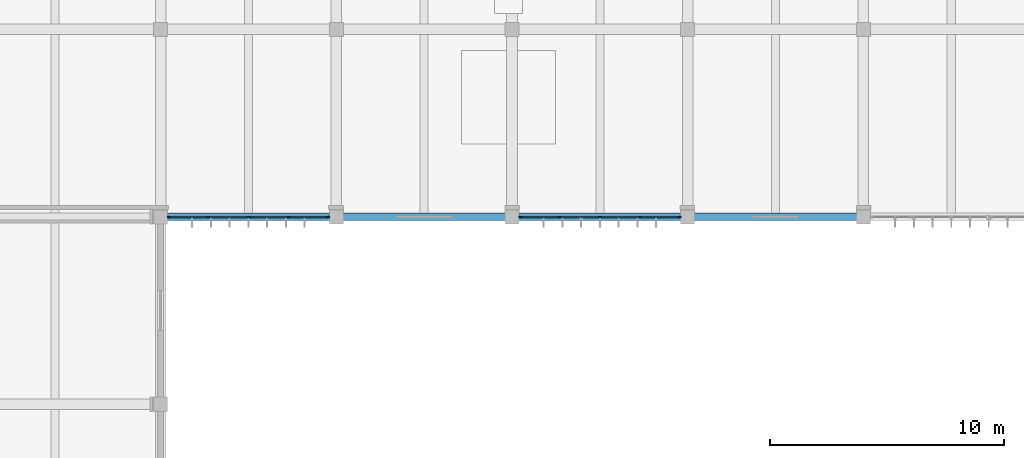
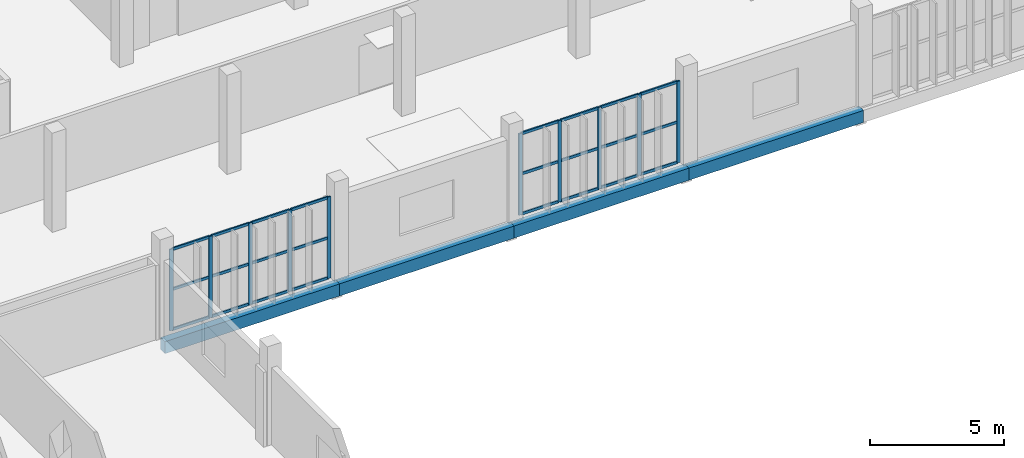
# One storey, part 13 of 81: 34 members, 4 beams, 2 elements without a shape of their own.
"""IFC4 building model written with IfcOpenShell, lengths in metres."""

from ifc_helpers import new_model, si_unit, direction, frame, origin, origin_2d, place, context, subcontext, project, spatial, rectangle, extrude, material, material_profile, profile_set, type_object, element, aggregate, save


model = new_model("IFC4")

# Units and contexts
model_context = context("Model", 3, precision=1e-05, world=origin(), true_north=direction((0.0, 1.0)))
body_context = subcontext(model_context, "Body", "Model", "MODEL_VIEW")
ifc_project = project(units=[si_unit("LENGTHUNIT", "METRE"), si_unit("AREAUNIT", "SQUARE_METRE"), si_unit("VOLUMEUNIT", "CUBIC_METRE"), si_unit("PLANEANGLEUNIT", "RADIAN"), si_unit("MASSUNIT", "GRAM", prefix="KILO")], contexts=[model_context])

# Site, building, storey
site_placement = place(None, origin())
site = spatial("IfcSite", under=ifc_project, at=site_placement, CompositionType="ELEMENT")
building_placement = place(site_placement, origin())
building = spatial("IfcBuilding", under=site, at=building_placement, Name="Vourika Railside Aquatics Centre", CompositionType="ELEMENT")
storey_placement = place(building_placement, frame((0.0, 0.0, 4.800048828125)))
storey = spatial("IfcBuildingStorey", under=building, at=storey_placement, Name="L01", CompositionType="ELEMENT", Elevation=4.800048828125)

# Beams
ifc_material_1 = material(Name="Concrete C35/45", Category="concrete")
ifc_material_profile_1 = material_profile(ifc_material_1, rectangle(XDim=0.320068359375, YDim=0.550048828125, at=origin_2d()), Name="RC 320x550")
ifc_profile_set_1 = profile_set([ifc_material_profile_1], Name="Concrete C35/45")
beam_type = type_object("IfcBeamType", Name="BM-SPAN-320x550", PredefinedType="SPANDREL", material=ifc_profile_set_1)
for number, where, z_axis, x_axis, name in (
    (1, (36.0, 92.0, -0.574951171875), (1.0, 0.0, 0.0), (0.0, 1.0, 0.0), "Floor Beam GX-L01-107"),
    (2, (43.5, 92.0, -0.574951171875), (1.0, 0.0, 0.0), (0.0, 1.0, 0.0), "Floor Beam GX-L01-108"),
    (3, (51.0, 92.0, -0.574951171875), (1.0, 0.0, 0.0), (0.0, 1.0, 0.0), "Floor Beam GX-L01-109"),
    (4, (58.5, 92.0, -0.574951171875), (1.0, 0.0, 0.0), (0.0, 1.0, 0.0), "Floor Beam GX-L01-110"),
):
    element("IfcBeam", number, at=place(storey_placement, frame(where, z_axis=z_axis, x_axis=x_axis)), inside=storey, type_object=beam_type, Name=name, PredefinedType="SPANDREL", context=body_context, shape_type="SweptSolid", body=[
        extrude(rectangle(XDim=0.320068359375, YDim=0.550048828125, at=origin_2d()), origin(), (0.0, 0.0, 1.0), 7.5),
    ])

# Curtain wall, members
ifc_material_2 = material(Name="Anodized thermally broken aluminium", Category="aluminium")
curtain_wall_type = type_object("IfcCurtainWallType", Name="CW-FIT1", PredefinedType="NOTDEFINED", material=ifc_material_2)
curtain_wall_1_placement = place(storey_placement, origin())
curtain_wall_1 = element("IfcCurtainWall", 5, at=curtain_wall_1_placement, inside=storey, type_object=curtain_wall_type, Name="Courtyard Fitness Curtain Wall L01-1", PredefinedType="NOTDEFINED")
ifc_material_3 = material(Name="Anodized aluminium mullion", Category="aluminium")
ifc_material_profile_2 = material_profile(ifc_material_3, rectangle(XDim=0.06201171875, YDim=0.156005859375, at=origin_2d()), Name="ALU-M 62x156")
ifc_profile_set_2 = profile_set([ifc_material_profile_2], Name="Anodized aluminium mullion")
member_type_1 = type_object("IfcMemberType", Name="CWM-FIT1", PredefinedType="MULLION", material=ifc_profile_set_2)
member_1_placement = place(storey_placement, frame((36.361083984375, 92.0, 0.0), z_axis=(0.0, 0.0, 1.0), x_axis=(0.0, 1.0, 0.0)))
member_1 = element("IfcMember", 6, at=member_1_placement, type_object=member_type_1, Name="CW15 mullion 1", PredefinedType="MULLION", context=body_context, shape_type="SweptSolid", body=[
    extrude(rectangle(XDim=0.06201171875, YDim=0.156005859375, at=origin_2d()), origin(), (0.0, 0.0, 1.0), 3.699951171875),
])
member_2_placement = place(storey_placement, frame((38.0400390625, 92.0, 0.0), z_axis=(0.0, 0.0, 1.0), x_axis=(0.0, 1.0, 0.0)))
member_2 = element("IfcMember", 7, at=member_2_placement, type_object=member_type_1, Name="CW15 mullion 2", PredefinedType="MULLION", context=body_context, shape_type="SweptSolid", body=[
    extrude(rectangle(XDim=0.06201171875, YDim=0.156005859375, at=origin_2d()), origin(), (0.0, 0.0, 1.0), 3.699951171875),
])
member_3_placement = place(storey_placement, frame((39.75, 92.0, 0.0), z_axis=(0.0, 0.0, 1.0), x_axis=(0.0, 1.0, 0.0)))
member_3 = element("IfcMember", 8, at=member_3_placement, type_object=member_type_1, Name="CW15 mullion 3", PredefinedType="MULLION", context=body_context, shape_type="SweptSolid", body=[
    extrude(rectangle(XDim=0.06201171875, YDim=0.156005859375, at=origin_2d()), origin(), (0.0, 0.0, 1.0), 3.699951171875),
])
member_4_placement = place(storey_placement, frame((41.4599609375, 92.0, 0.0), z_axis=(0.0, 0.0, 1.0), x_axis=(0.0, 1.0, 0.0)))
member_4 = element("IfcMember", 9, at=member_4_placement, type_object=member_type_1, Name="CW15 mullion 4", PredefinedType="MULLION", context=body_context, shape_type="SweptSolid", body=[
    extrude(rectangle(XDim=0.06201171875, YDim=0.156005859375, at=origin_2d()), origin(), (0.0, 0.0, 1.0), 3.699951171875),
])
member_5_placement = place(storey_placement, frame((43.138916015625, 92.0, 0.0), z_axis=(0.0, 0.0, 1.0), x_axis=(0.0, 1.0, 0.0)))
member_5 = element("IfcMember", 10, at=member_5_placement, type_object=member_type_1, Name="CW15 mullion 5", PredefinedType="MULLION", context=body_context, shape_type="SweptSolid", body=[
    extrude(rectangle(XDim=0.06201171875, YDim=0.156005859375, at=origin_2d()), origin(), (0.0, 0.0, 1.0), 3.699951171875),
])

curtain_wall_2_placement = place(storey_placement, origin())
curtain_wall_2 = element("IfcCurtainWall", 11, at=curtain_wall_2_placement, inside=storey, type_object=curtain_wall_type, Name="Courtyard Fitness Curtain Wall L01-3", PredefinedType="NOTDEFINED")
member_6_placement = place(storey_placement, frame((51.361083984375, 92.0, 0.0), z_axis=(0.0, 0.0, 1.0), x_axis=(0.0, 1.0, 0.0)))
member_6 = element("IfcMember", 12, at=member_6_placement, type_object=member_type_1, Name="CW15 mullion 1", PredefinedType="MULLION", context=body_context, shape_type="SweptSolid", body=[
    extrude(rectangle(XDim=0.06201171875, YDim=0.156005859375, at=origin_2d()), origin(), (0.0, 0.0, 1.0), 3.699951171875),
])
member_7_placement = place(storey_placement, frame((53.0400390625, 92.0, 0.0), z_axis=(0.0, 0.0, 1.0), x_axis=(0.0, 1.0, 0.0)))
member_7 = element("IfcMember", 13, at=member_7_placement, type_object=member_type_1, Name="CW15 mullion 2", PredefinedType="MULLION", context=body_context, shape_type="SweptSolid", body=[
    extrude(rectangle(XDim=0.06201171875, YDim=0.156005859375, at=origin_2d()), origin(), (0.0, 0.0, 1.0), 3.699951171875),
])
member_8_placement = place(storey_placement, frame((54.75, 92.0, 0.0), z_axis=(0.0, 0.0, 1.0), x_axis=(0.0, 1.0, 0.0)))
member_8 = element("IfcMember", 14, at=member_8_placement, type_object=member_type_1, Name="CW15 mullion 3", PredefinedType="MULLION", context=body_context, shape_type="SweptSolid", body=[
    extrude(rectangle(XDim=0.06201171875, YDim=0.156005859375, at=origin_2d()), origin(), (0.0, 0.0, 1.0), 3.699951171875),
])
member_9_placement = place(storey_placement, frame((56.4599609375, 92.0, 0.0), z_axis=(0.0, 0.0, 1.0), x_axis=(0.0, 1.0, 0.0)))
member_9 = element("IfcMember", 15, at=member_9_placement, type_object=member_type_1, Name="CW15 mullion 4", PredefinedType="MULLION", context=body_context, shape_type="SweptSolid", body=[
    extrude(rectangle(XDim=0.06201171875, YDim=0.156005859375, at=origin_2d()), origin(), (0.0, 0.0, 1.0), 3.699951171875),
])
member_10_placement = place(storey_placement, frame((58.138916015625, 92.0, 0.0), z_axis=(0.0, 0.0, 1.0), x_axis=(0.0, 1.0, 0.0)))
member_10 = element("IfcMember", 16, at=member_10_placement, type_object=member_type_1, Name="CW15 mullion 5", PredefinedType="MULLION", context=body_context, shape_type="SweptSolid", body=[
    extrude(rectangle(XDim=0.06201171875, YDim=0.156005859375, at=origin_2d()), origin(), (0.0, 0.0, 1.0), 3.699951171875),
])

# Member
ifc_material_4 = material(Name="Anodized aluminium transom", Category="aluminium")
ifc_material_profile_3 = material_profile(ifc_material_4, rectangle(XDim=0.06201171875, YDim=0.1220703125, at=origin_2d()), Name="ALU-T 62x122")
ifc_profile_set_3 = profile_set([ifc_material_profile_3], Name="Anodized aluminium transom")
member_type_2 = type_object("IfcMemberType", Name="CWT-FIT1", PredefinedType="USERDEFINED", material=ifc_profile_set_3)
member_11_placement = place(storey_placement, frame((36.39208984375, 92.0, 0.031005859375), z_axis=(1.0, 0.0, 0.0), x_axis=(0.0, 1.0, 0.0)))
member_11 = element("IfcMember", 17, at=member_11_placement, type_object=member_type_2, Name="CW15 transom 1.1", ObjectType="TRANSOM", PredefinedType="USERDEFINED", context=body_context, shape_type="SweptSolid", body=[
    extrude(rectangle(XDim=0.06201171875, YDim=0.1220703125, at=origin_2d()), origin(), (0.0, 0.0, 1.0), 1.616943359375),
])

member_12_placement = place(storey_placement, frame((36.39208984375, 92.0, 1.849853515625), z_axis=(1.0, 0.0, 0.0), x_axis=(0.0, 1.0, 0.0)))
member_12 = element("IfcMember", 18, at=member_12_placement, type_object=member_type_2, Name="CW15 transom 1.2", ObjectType="TRANSOM", PredefinedType="USERDEFINED", context=body_context, shape_type="SweptSolid", body=[
    extrude(rectangle(XDim=0.06201171875, YDim=0.1220703125, at=origin_2d()), origin(), (0.0, 0.0, 1.0), 1.616943359375),
])

member_13_placement = place(storey_placement, frame((36.39208984375, 92.0, 3.6689453125), z_axis=(1.0, 0.0, 0.0), x_axis=(0.0, 1.0, 0.0)))
member_13 = element("IfcMember", 19, at=member_13_placement, type_object=member_type_2, Name="CW15 transom 1.3", ObjectType="TRANSOM", PredefinedType="USERDEFINED", context=body_context, shape_type="SweptSolid", body=[
    extrude(rectangle(XDim=0.06201171875, YDim=0.1220703125, at=origin_2d()), origin(), (0.0, 0.0, 1.0), 1.616943359375),
])

member_14_placement = place(storey_placement, frame((38.071044921875, 92.0, 0.031005859375), z_axis=(1.0, 0.0, 0.0), x_axis=(0.0, 1.0, 0.0)))
member_14 = element("IfcMember", 20, at=member_14_placement, type_object=member_type_2, Name="CW15 transom 2.1", ObjectType="TRANSOM", PredefinedType="USERDEFINED", context=body_context, shape_type="SweptSolid", body=[
    extrude(rectangle(XDim=0.06201171875, YDim=0.1220703125, at=origin_2d()), origin(), (0.0, 0.0, 1.0), 1.64794921875),
])

member_15_placement = place(storey_placement, frame((38.071044921875, 92.0, 1.849853515625), z_axis=(1.0, 0.0, 0.0), x_axis=(0.0, 1.0, 0.0)))
member_15 = element("IfcMember", 21, at=member_15_placement, type_object=member_type_2, Name="CW15 transom 2.2", ObjectType="TRANSOM", PredefinedType="USERDEFINED", context=body_context, shape_type="SweptSolid", body=[
    extrude(rectangle(XDim=0.06201171875, YDim=0.1220703125, at=origin_2d()), origin(), (0.0, 0.0, 1.0), 1.64794921875),
])

member_16_placement = place(storey_placement, frame((38.071044921875, 92.0, 3.6689453125), z_axis=(1.0, 0.0, 0.0), x_axis=(0.0, 1.0, 0.0)))
member_16 = element("IfcMember", 22, at=member_16_placement, type_object=member_type_2, Name="CW15 transom 2.3", ObjectType="TRANSOM", PredefinedType="USERDEFINED", context=body_context, shape_type="SweptSolid", body=[
    extrude(rectangle(XDim=0.06201171875, YDim=0.1220703125, at=origin_2d()), origin(), (0.0, 0.0, 1.0), 1.64794921875),
])

member_17_placement = place(storey_placement, frame((39.781005859375, 92.0, 0.031005859375), z_axis=(1.0, 0.0, 0.0), x_axis=(0.0, 1.0, 0.0)))
member_17 = element("IfcMember", 23, at=member_17_placement, type_object=member_type_2, Name="CW15 transom 3.1", ObjectType="TRANSOM", PredefinedType="USERDEFINED", context=body_context, shape_type="SweptSolid", body=[
    extrude(rectangle(XDim=0.06201171875, YDim=0.1220703125, at=origin_2d()), origin(), (0.0, 0.0, 1.0), 1.64794921875),
])

member_18_placement = place(storey_placement, frame((39.781005859375, 92.0, 1.849853515625), z_axis=(1.0, 0.0, 0.0), x_axis=(0.0, 1.0, 0.0)))
member_18 = element("IfcMember", 24, at=member_18_placement, type_object=member_type_2, Name="CW15 transom 3.2", ObjectType="TRANSOM", PredefinedType="USERDEFINED", context=body_context, shape_type="SweptSolid", body=[
    extrude(rectangle(XDim=0.06201171875, YDim=0.1220703125, at=origin_2d()), origin(), (0.0, 0.0, 1.0), 1.64794921875),
])

member_19_placement = place(storey_placement, frame((39.781005859375, 92.0, 3.6689453125), z_axis=(1.0, 0.0, 0.0), x_axis=(0.0, 1.0, 0.0)))
member_19 = element("IfcMember", 25, at=member_19_placement, type_object=member_type_2, Name="CW15 transom 3.3", ObjectType="TRANSOM", PredefinedType="USERDEFINED", context=body_context, shape_type="SweptSolid", body=[
    extrude(rectangle(XDim=0.06201171875, YDim=0.1220703125, at=origin_2d()), origin(), (0.0, 0.0, 1.0), 1.64794921875),
])

member_20_placement = place(storey_placement, frame((41.490966796875, 92.0, 0.031005859375), z_axis=(1.0, 0.0, 0.0), x_axis=(0.0, 1.0, 0.0)))
member_20 = element("IfcMember", 26, at=member_20_placement, type_object=member_type_2, Name="CW15 transom 4.1", ObjectType="TRANSOM", PredefinedType="USERDEFINED", context=body_context, shape_type="SweptSolid", body=[
    extrude(rectangle(XDim=0.06201171875, YDim=0.1220703125, at=origin_2d()), origin(), (0.0, 0.0, 1.0), 1.616943359375),
])

member_21_placement = place(storey_placement, frame((41.490966796875, 92.0, 1.849853515625), z_axis=(1.0, 0.0, 0.0), x_axis=(0.0, 1.0, 0.0)))
member_21 = element("IfcMember", 27, at=member_21_placement, type_object=member_type_2, Name="CW15 transom 4.2", ObjectType="TRANSOM", PredefinedType="USERDEFINED", context=body_context, shape_type="SweptSolid", body=[
    extrude(rectangle(XDim=0.06201171875, YDim=0.1220703125, at=origin_2d()), origin(), (0.0, 0.0, 1.0), 1.616943359375),
])

member_22_placement = place(storey_placement, frame((41.490966796875, 92.0, 3.6689453125), z_axis=(1.0, 0.0, 0.0), x_axis=(0.0, 1.0, 0.0)))
member_22 = element("IfcMember", 28, at=member_22_placement, type_object=member_type_2, Name="CW15 transom 4.3", ObjectType="TRANSOM", PredefinedType="USERDEFINED", context=body_context, shape_type="SweptSolid", body=[
    extrude(rectangle(XDim=0.06201171875, YDim=0.1220703125, at=origin_2d()), origin(), (0.0, 0.0, 1.0), 1.616943359375),
])

aggregate(curtain_wall_1, [member_1, member_2, member_3, member_4, member_5, member_11, member_12, member_13, member_14, member_15, member_16, member_17, member_18, member_19, member_20, member_21, member_22])

member_23_placement = place(storey_placement, frame((51.39208984375, 92.0, 0.031005859375), z_axis=(1.0, 0.0, 0.0), x_axis=(0.0, 1.0, 0.0)))
member_23 = element("IfcMember", 29, at=member_23_placement, type_object=member_type_2, Name="CW15 transom 1.1", ObjectType="TRANSOM", PredefinedType="USERDEFINED", context=body_context, shape_type="SweptSolid", body=[
    extrude(rectangle(XDim=0.06201171875, YDim=0.1220703125, at=origin_2d()), origin(), (0.0, 0.0, 1.0), 1.616943359375),
])

member_24_placement = place(storey_placement, frame((51.39208984375, 92.0, 1.849853515625), z_axis=(1.0, 0.0, 0.0), x_axis=(0.0, 1.0, 0.0)))
member_24 = element("IfcMember", 30, at=member_24_placement, type_object=member_type_2, Name="CW15 transom 1.2", ObjectType="TRANSOM", PredefinedType="USERDEFINED", context=body_context, shape_type="SweptSolid", body=[
    extrude(rectangle(XDim=0.06201171875, YDim=0.1220703125, at=origin_2d()), origin(), (0.0, 0.0, 1.0), 1.616943359375),
])

member_25_placement = place(storey_placement, frame((51.39208984375, 92.0, 3.6689453125), z_axis=(1.0, 0.0, 0.0), x_axis=(0.0, 1.0, 0.0)))
member_25 = element("IfcMember", 31, at=member_25_placement, type_object=member_type_2, Name="CW15 transom 1.3", ObjectType="TRANSOM", PredefinedType="USERDEFINED", context=body_context, shape_type="SweptSolid", body=[
    extrude(rectangle(XDim=0.06201171875, YDim=0.1220703125, at=origin_2d()), origin(), (0.0, 0.0, 1.0), 1.616943359375),
])

member_26_placement = place(storey_placement, frame((53.071044921875, 92.0, 0.031005859375), z_axis=(1.0, 0.0, 0.0), x_axis=(0.0, 1.0, 0.0)))
member_26 = element("IfcMember", 32, at=member_26_placement, type_object=member_type_2, Name="CW15 transom 2.1", ObjectType="TRANSOM", PredefinedType="USERDEFINED", context=body_context, shape_type="SweptSolid", body=[
    extrude(rectangle(XDim=0.06201171875, YDim=0.1220703125, at=origin_2d()), origin(), (0.0, 0.0, 1.0), 1.64794921875),
])

member_27_placement = place(storey_placement, frame((53.071044921875, 92.0, 1.849853515625), z_axis=(1.0, 0.0, 0.0), x_axis=(0.0, 1.0, 0.0)))
member_27 = element("IfcMember", 33, at=member_27_placement, type_object=member_type_2, Name="CW15 transom 2.2", ObjectType="TRANSOM", PredefinedType="USERDEFINED", context=body_context, shape_type="SweptSolid", body=[
    extrude(rectangle(XDim=0.06201171875, YDim=0.1220703125, at=origin_2d()), origin(), (0.0, 0.0, 1.0), 1.64794921875),
])

member_28_placement = place(storey_placement, frame((53.071044921875, 92.0, 3.6689453125), z_axis=(1.0, 0.0, 0.0), x_axis=(0.0, 1.0, 0.0)))
member_28 = element("IfcMember", 34, at=member_28_placement, type_object=member_type_2, Name="CW15 transom 2.3", ObjectType="TRANSOM", PredefinedType="USERDEFINED", context=body_context, shape_type="SweptSolid", body=[
    extrude(rectangle(XDim=0.06201171875, YDim=0.1220703125, at=origin_2d()), origin(), (0.0, 0.0, 1.0), 1.64794921875),
])

member_29_placement = place(storey_placement, frame((54.781005859375, 92.0, 0.031005859375), z_axis=(1.0, 0.0, 0.0), x_axis=(0.0, 1.0, 0.0)))
member_29 = element("IfcMember", 35, at=member_29_placement, type_object=member_type_2, Name="CW15 transom 3.1", ObjectType="TRANSOM", PredefinedType="USERDEFINED", context=body_context, shape_type="SweptSolid", body=[
    extrude(rectangle(XDim=0.06201171875, YDim=0.1220703125, at=origin_2d()), origin(), (0.0, 0.0, 1.0), 1.64794921875),
])

member_30_placement = place(storey_placement, frame((54.781005859375, 92.0, 1.849853515625), z_axis=(1.0, 0.0, 0.0), x_axis=(0.0, 1.0, 0.0)))
member_30 = element("IfcMember", 36, at=member_30_placement, type_object=member_type_2, Name="CW15 transom 3.2", ObjectType="TRANSOM", PredefinedType="USERDEFINED", context=body_context, shape_type="SweptSolid", body=[
    extrude(rectangle(XDim=0.06201171875, YDim=0.1220703125, at=origin_2d()), origin(), (0.0, 0.0, 1.0), 1.64794921875),
])

member_31_placement = place(storey_placement, frame((54.781005859375, 92.0, 3.6689453125), z_axis=(1.0, 0.0, 0.0), x_axis=(0.0, 1.0, 0.0)))
member_31 = element("IfcMember", 37, at=member_31_placement, type_object=member_type_2, Name="CW15 transom 3.3", ObjectType="TRANSOM", PredefinedType="USERDEFINED", context=body_context, shape_type="SweptSolid", body=[
    extrude(rectangle(XDim=0.06201171875, YDim=0.1220703125, at=origin_2d()), origin(), (0.0, 0.0, 1.0), 1.64794921875),
])

member_32_placement = place(storey_placement, frame((56.490966796875, 92.0, 0.031005859375), z_axis=(1.0, 0.0, 0.0), x_axis=(0.0, 1.0, 0.0)))
member_32 = element("IfcMember", 38, at=member_32_placement, type_object=member_type_2, Name="CW15 transom 4.1", ObjectType="TRANSOM", PredefinedType="USERDEFINED", context=body_context, shape_type="SweptSolid", body=[
    extrude(rectangle(XDim=0.06201171875, YDim=0.1220703125, at=origin_2d()), origin(), (0.0, 0.0, 1.0), 1.616943359375),
])

member_33_placement = place(storey_placement, frame((56.490966796875, 92.0, 1.849853515625), z_axis=(1.0, 0.0, 0.0), x_axis=(0.0, 1.0, 0.0)))
member_33 = element("IfcMember", 39, at=member_33_placement, type_object=member_type_2, Name="CW15 transom 4.2", ObjectType="TRANSOM", PredefinedType="USERDEFINED", context=body_context, shape_type="SweptSolid", body=[
    extrude(rectangle(XDim=0.06201171875, YDim=0.1220703125, at=origin_2d()), origin(), (0.0, 0.0, 1.0), 1.616943359375),
])

member_34_placement = place(storey_placement, frame((56.490966796875, 92.0, 3.6689453125), z_axis=(1.0, 0.0, 0.0), x_axis=(0.0, 1.0, 0.0)))
member_34 = element("IfcMember", 40, at=member_34_placement, type_object=member_type_2, Name="CW15 transom 4.3", ObjectType="TRANSOM", PredefinedType="USERDEFINED", context=body_context, shape_type="SweptSolid", body=[
    extrude(rectangle(XDim=0.06201171875, YDim=0.1220703125, at=origin_2d()), origin(), (0.0, 0.0, 1.0), 1.616943359375),
])

aggregate(curtain_wall_2, [member_6, member_7, member_8, member_9, member_10, member_23, member_24, member_25, member_26, member_27, member_28, member_29, member_30, member_31, member_32, member_33, member_34])

save(model, "model.ifc")
